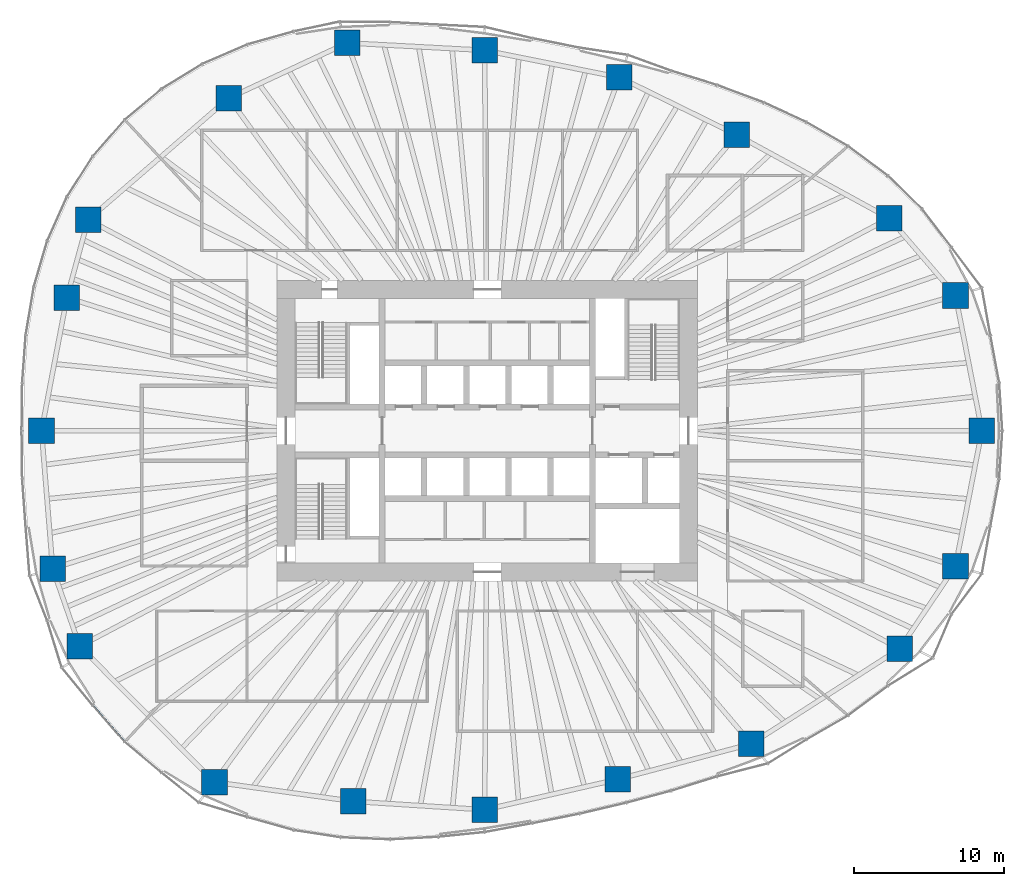
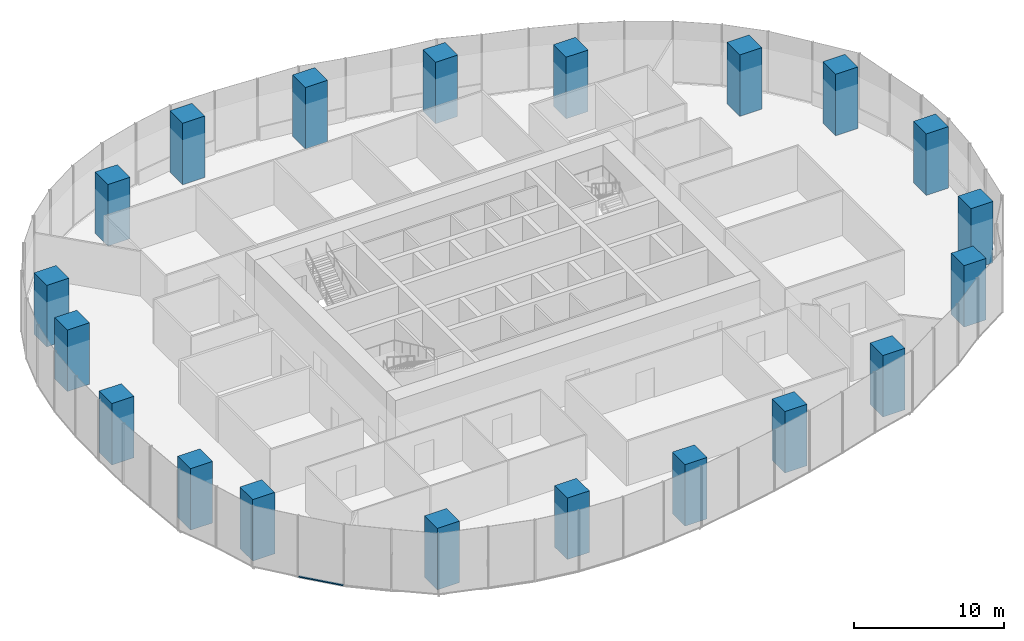
# One storey, part 1 of 20: 20 columns, 1 member, 1 element without a shape of its own.
"""IFC4 building model written with IfcOpenShell, lengths in metres."""

from ifc_helpers import new_model, si_unit, direction, frame, origin, origin_2d, place, context, subcontext, project, spatial, rectangle, extrude, material, material_profile, profile_set, type_object, element, aggregate, save


model = new_model("IFC4")

# Units and contexts
model_context = context("Model", 3, precision=1e-05, world=origin(), true_north=direction((0.0, 1.0)))
body_context = subcontext(model_context, "Body", "Model", "MODEL_VIEW")
ifc_project = project(units=[si_unit("LENGTHUNIT", "METRE"), si_unit("AREAUNIT", "SQUARE_METRE"), si_unit("VOLUMEUNIT", "CUBIC_METRE"), si_unit("PLANEANGLEUNIT", "RADIAN"), si_unit("MASSUNIT", "GRAM", prefix="KILO")], contexts=[model_context])

# Site, building, storey
site_placement = place(None, origin())
site = spatial("IfcSite", under=ifc_project, at=site_placement, CompositionType="ELEMENT")
building_placement = place(site_placement, origin())
building = spatial("IfcBuilding", under=site, at=building_placement, Name="Ghaith Harvest Tower", CompositionType="ELEMENT")
storey_placement = place(building_placement, frame((0.0, 0.0, 90.0)))
storey = spatial("IfcBuildingStorey", under=building, at=storey_placement, Name="L18", CompositionType="ELEMENT", Elevation=90.0)

# Columns
ifc_material_1 = material(Name="Concrete C70/85", Category="concrete")
ifc_material_profile_1 = material_profile(ifc_material_1, rectangle(XDim=1.699951171875, YDim=1.699951171875, at=origin_2d()), Name="RC1700X1700")
ifc_profile_set_1 = profile_set([ifc_material_profile_1], Name="Concrete C70/85")
column_type = type_object("IfcColumnType", Name="TC2 RC1700X1700", PredefinedType="COLUMN", material=ifc_profile_set_1)
for number, where, z_axis, x_axis, name in (
    (1, (32.925048828125, 0.0, 0.0), (0.0, 0.0, 1.0), (1.0, 0.0, 0.0), "Perimeter column C01"),
    (2, (31.166015625, 9.008056640625, 0.0), (0.0, 0.0, 1.0), (1.0, 0.0, 0.0), "Perimeter column C02"),
    (3, (26.763916015625, 14.14697265625, 0.0), (0.0, 0.0, 1.0), (1.0, 0.0, 0.0), "Perimeter column C03"),
    (4, (16.60791015625, 19.695068359375, 0.0), (0.0, 0.0, 1.0), (1.0, 0.0, 0.0), "Perimeter column C04"),
    (5, (8.794921875, 23.527099609375, 0.0), (0.0, 0.0, 1.0), (1.0, 0.0, 0.0), "Perimeter column C05"),
    (6, (-0.173095703125, 25.326904296875, 0.0), (0.0, 0.0, 1.0), (1.0, 0.0, 0.0), "Perimeter column C06"),
    (7, (-9.325927734375, 25.821044921875, 0.0), (0.0, 0.0, 1.0), (1.0, 0.0, 0.0), "Perimeter column C07"),
    (8, (-17.201904296875, 22.14990234375, 0.0), (0.0, 0.0, 1.0), (1.0, 0.0, 0.0), "Perimeter column C08"),
    (9, (-26.572998046875, 14.0458984375, 0.0), (0.0, 0.0, 1.0), (1.0, 0.0, 0.0), "Perimeter column C09"),
    (10, (-27.98291015625, 8.867919921875, 0.0), (0.0, 0.0, 1.0), (1.0, 0.0, 0.0), "Perimeter column C10"),
    (11, (-29.675048828125, 0.0, 0.0), (0.0, 0.0, 1.0), (1.0, 0.0, 0.0), "Perimeter column C11"),
    (12, (-28.929931640625, -9.16796875, 0.0), (0.0, 0.0, 1.0), (1.0, 0.0, 0.0), "Perimeter column C12"),
    (13, (-27.132080078125, -14.341064453125, 0.0), (0.0, 0.0, 1.0), (1.0, 0.0, 0.0), "Perimeter column C13"),
    (14, (-18.157958984375, -23.3798828125, 0.0), (0.0, 0.0, 1.0), (1.0, 0.0, 0.0), "Perimeter column C14"),
    (15, (-8.908935546875, -24.66796875, 0.0), (0.0, 0.0, 1.0), (1.0, 0.0, 0.0), "Perimeter column C15"),
    (16, (-0.173095703125, -25.22412109375, 0.0), (0.0, 0.0, 1.0), (1.0, 0.0, 0.0), "Perimeter column C16"),
    (17, (8.674072265625, -23.202880859375, 0.0), (0.0, 0.0, 1.0), (1.0, 0.0, 0.0), "Perimeter column C17"),
    (18, (17.572021484375, -20.8369140625, 0.0), (0.0, 0.0, 1.0), (1.0, 0.0, 0.0), "Perimeter column C18"),
    (19, (27.448974609375, -14.509033203125, 0.0), (0.0, 0.0, 1.0), (1.0, 0.0, 0.0), "Perimeter column C19"),
    (20, (31.166015625, -9.008056640625, 0.0), (0.0, 0.0, 1.0), (1.0, 0.0, 0.0), "Perimeter column C20"),
):
    element("IfcColumn", number, at=place(storey_placement, frame(where, z_axis=z_axis, x_axis=x_axis)), inside=storey, type_object=column_type, Name=name, PredefinedType="COLUMN", context=body_context, shape_type="SweptSolid", body=[
        extrude(rectangle(XDim=1.699951171875, YDim=1.699951171875, at=origin_2d()), origin(), (0.0, 0.0, 1.0), 5.0),
    ])

# Curtain wall, member
ifc_material_2 = material(Name="Black anodised aluminium and fritted glass", Category="aluminium")
curtain_wall_type = type_object("IfcCurtainWallType", Name="CW-F CURTAIN WALL", PredefinedType="NOTDEFINED", material=ifc_material_2)
curtain_wall_placement = place(storey_placement, origin())
curtain_wall = element("IfcCurtainWall", 21, at=curtain_wall_placement, inside=storey, type_object=curtain_wall_type, Name="Curtain wall CW-F bay 13 L18", PredefinedType="NOTDEFINED")
ifc_material_3 = material(Name="Aluminium, black anodised", Category="aluminium")
ifc_material_profile_2 = material_profile(ifc_material_3, rectangle(XDim=0.139892578125, YDim=0.080078125, at=origin_2d()), Name="CW-F TRANSOM 140x80")
ifc_profile_set_2 = profile_set([ifc_material_profile_2], Name="Aluminium, black anodised")
member_type = type_object("IfcMemberType", Name="CW-F TRANSOM 140x80", PredefinedType="USERDEFINED", material=ifc_profile_set_2)
member_placement = place(storey_placement, frame((-26.23681640625, -18.30419921875, 0.0400390625), z_axis=(0.65923052982, -0.751940894322, 0.0), x_axis=(0.751940894322, 0.65923052982, 0.0)))
member = element("IfcMember", 22, at=member_placement, type_object=member_type, Name="CW-F transom 1 bay 13 L18", ObjectType="TRANSOM", PredefinedType="USERDEFINED", context=body_context, shape_type="SweptSolid", body=[
    extrude(rectangle(XDim=0.139892578125, YDim=0.080078125, at=origin_2d()), origin(), (0.0, 0.0, 1.0), 3.1416015625),
])
aggregate(curtain_wall, [member])

save(model, "model.ifc")
